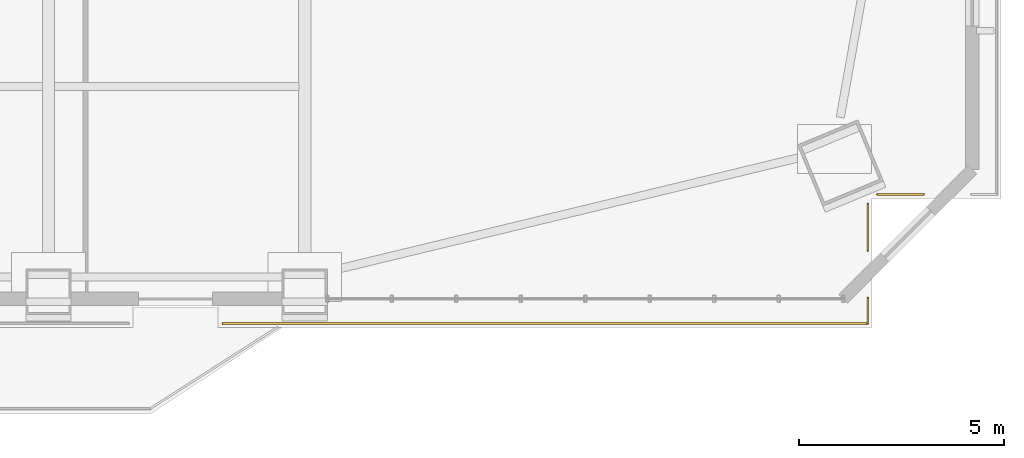
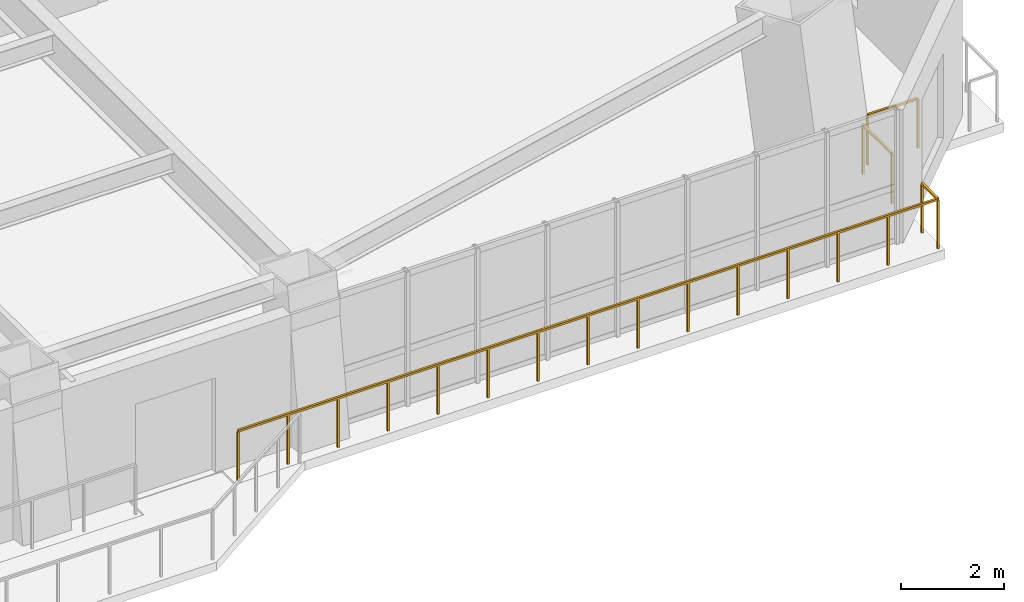
# One storey, part 14 of 17: 4 railings.
"""IFC4 building model written with IfcOpenShell, lengths in metres."""

from ifc_helpers import new_model, si_unit, direction, frame, origin, origin_2d, place, context, subcontext, project, spatial, rectangle, extrude, material, type_object, element, save


model = new_model("IFC4")

# Units and contexts
model_context = context("Model", 3, precision=1e-05, world=origin(), true_north=direction((0.0, 1.0)))
body_context = subcontext(model_context, "Body", "Model", "MODEL_VIEW")
ifc_project = project(units=[si_unit("LENGTHUNIT", "METRE"), si_unit("AREAUNIT", "SQUARE_METRE"), si_unit("VOLUMEUNIT", "CUBIC_METRE"), si_unit("PLANEANGLEUNIT", "RADIAN"), si_unit("MASSUNIT", "GRAM", prefix="KILO")], contexts=[model_context])

# Site, building, storey
site_placement = place(None, origin())
site = spatial("IfcSite", under=ifc_project, at=site_placement, CompositionType="ELEMENT")
building_placement = place(site_placement, origin())
building = spatial("IfcBuilding", under=site, at=building_placement, Name="Giltprow Tower", CompositionType="ELEMENT")
storey_placement = place(building_placement, frame((0.0, 0.0, 57.199951171875)))
storey = spatial("IfcBuildingStorey", under=building, at=storey_placement, Name="L14", CompositionType="ELEMENT", Elevation=57.199951171875)

# Railings
ifc_material = material(Name="Anodized bronze", Category="metal")
railing_type = type_object("IfcRailingType", Name="RAIL-BALC-GUARD-1200", PredefinedType="BALUSTRADE", material=ifc_material)
railing_1_placement = place(storey_placement, frame((65.64990234375, 6.902099609375, 0.0)))
element("IfcRailing", 1, at=railing_1_placement, inside=storey, type_object=railing_type, Name="L14 Corner Apron Edge Balustrade 18", PredefinedType="BALUSTRADE", context=body_context, shape_type="SweptSolid", body=[
    extrude(rectangle(XDim=0.048095703125, YDim=0.048095703125, at=origin_2d()), frame((0.0, 0.0, 1.17578125), z_axis=(-1.0, 0.0, 0.0), x_axis=(0.0, -1.0, 0.0)), (0.0, 0.0, 1.0), 1.1328125),
    extrude(rectangle(XDim=0.0419921875, YDim=0.0419921875, at=origin_2d()), origin(), (0.0, 0.0, 1.0), 1.15185546875),
    extrude(rectangle(XDim=0.0419921875, YDim=0.0419921875, at=origin_2d()), frame((-1.1328125, 0.0, 0.0)), (0.0, 0.0, 1.0), 1.15185546875),
])
railing_2_placement = place(storey_placement, frame((64.281982421875, 6.6669921875, 0.0)))
element("IfcRailing", 2, at=railing_2_placement, inside=storey, type_object=railing_type, Name="L14 Corner Apron Edge Balustrade 19", PredefinedType="BALUSTRADE", context=body_context, shape_type="SweptSolid", body=[
    extrude(rectangle(XDim=0.048095703125, YDim=0.048095703125, at=origin_2d()), frame((0.0, 0.0, 1.17578125), z_axis=(0.0, -1.0, 0.0), x_axis=(1.0, 0.0, 0.0)), (0.0, 0.0, 1.0), 1.133056640625),
    extrude(rectangle(XDim=0.0419921875, YDim=0.0419921875, at=origin_2d()), origin(), (0.0, 0.0, 1.0), 1.15185546875),
    extrude(rectangle(XDim=0.0419921875, YDim=0.0419921875, at=origin_2d()), frame((0.0, -1.133056640625, 0.0)), (0.0, 0.0, 1.0), 1.15185546875),
])
railing_3_placement = place(storey_placement, frame((64.281982421875, 4.3740234375, 0.0)))
element("IfcRailing", 3, at=railing_3_placement, inside=storey, type_object=railing_type, Name="L14 Corner Apron Edge Balustrade 20", PredefinedType="BALUSTRADE", context=body_context, shape_type="SweptSolid", body=[
    extrude(rectangle(XDim=0.048095703125, YDim=0.048095703125, at=origin_2d()), frame((0.0, 0.0, 1.17578125), z_axis=(0.0, -1.0, 0.0), x_axis=(1.0, 0.0, 0.0)), (0.0, 0.0, 1.0), 0.6201171875),
    extrude(rectangle(XDim=0.0419921875, YDim=0.0419921875, at=origin_2d()), origin(), (0.0, 0.0, 1.0), 1.15185546875),
    extrude(rectangle(XDim=0.0419921875, YDim=0.0419921875, at=origin_2d()), frame((0.0, -0.6201171875, 0.0)), (0.0, 0.0, 1.0), 1.15185546875),
])
railing_4_placement = place(storey_placement, frame((64.281982421875, 3.75390625, 0.0)))
element("IfcRailing", 4, at=railing_4_placement, inside=storey, type_object=railing_type, Name="L14 Corner Apron Edge Balustrade 21", PredefinedType="BALUSTRADE", context=body_context, shape_type="SweptSolid", body=[
    extrude(rectangle(XDim=0.048095703125, YDim=0.048095703125, at=origin_2d()), frame((0.0, 0.0, 1.17578125), z_axis=(-1.0, 0.0, 0.0), x_axis=(0.0, -1.0, 0.0)), (0.0, 0.0, 1.0), 15.73193359375),
    extrude(rectangle(XDim=0.0419921875, YDim=0.0419921875, at=origin_2d()), origin(), (0.0, 0.0, 1.0), 1.15185546875),
    extrude(rectangle(XDim=0.0419921875, YDim=0.0419921875, at=origin_2d()), frame((-1.123779296875, 0.0, 0.0)), (0.0, 0.0, 1.0), 1.15185546875),
    extrude(rectangle(XDim=0.0419921875, YDim=0.0419921875, at=origin_2d()), frame((-2.247314453125, 0.0, 0.0)), (0.0, 0.0, 1.0), 1.15185546875),
    extrude(rectangle(XDim=0.0419921875, YDim=0.0419921875, at=origin_2d()), frame((-3.37109375, 0.0, 0.0)), (0.0, 0.0, 1.0), 1.15185546875),
    extrude(rectangle(XDim=0.0419921875, YDim=0.0419921875, at=origin_2d()), frame((-4.494873046875, 0.0, 0.0)), (0.0, 0.0, 1.0), 1.15185546875),
    extrude(rectangle(XDim=0.0419921875, YDim=0.0419921875, at=origin_2d()), frame((-5.61865234375, 0.0, 0.0)), (0.0, 0.0, 1.0), 1.15185546875),
    extrude(rectangle(XDim=0.0419921875, YDim=0.0419921875, at=origin_2d()), frame((-6.7421875, 0.0, 0.0)), (0.0, 0.0, 1.0), 1.15185546875),
    extrude(rectangle(XDim=0.0419921875, YDim=0.0419921875, at=origin_2d()), frame((-7.865966796875, 0.0, 0.0)), (0.0, 0.0, 1.0), 1.15185546875),
    extrude(rectangle(XDim=0.0419921875, YDim=0.0419921875, at=origin_2d()), frame((-8.98974609375, 0.0, 0.0)), (0.0, 0.0, 1.0), 1.15185546875),
    extrude(rectangle(XDim=0.0419921875, YDim=0.0419921875, at=origin_2d()), frame((-10.11328125, 0.0, 0.0)), (0.0, 0.0, 1.0), 1.15185546875),
    extrude(rectangle(XDim=0.0419921875, YDim=0.0419921875, at=origin_2d()), frame((-11.237060546875, 0.0, 0.0)), (0.0, 0.0, 1.0), 1.15185546875),
    extrude(rectangle(XDim=0.0419921875, YDim=0.0419921875, at=origin_2d()), frame((-12.36083984375, 0.0, 0.0)), (0.0, 0.0, 1.0), 1.15185546875),
    extrude(rectangle(XDim=0.0419921875, YDim=0.0419921875, at=origin_2d()), frame((-13.484619140625, 0.0, 0.0)), (0.0, 0.0, 1.0), 1.15185546875),
    extrude(rectangle(XDim=0.0419921875, YDim=0.0419921875, at=origin_2d()), frame((-14.608154296875, 0.0, 0.0)), (0.0, 0.0, 1.0), 1.15185546875),
    extrude(rectangle(XDim=0.0419921875, YDim=0.0419921875, at=origin_2d()), frame((-15.73193359375, 0.0, 0.0)), (0.0, 0.0, 1.0), 1.15185546875),
])

save(model, "model.ifc")
